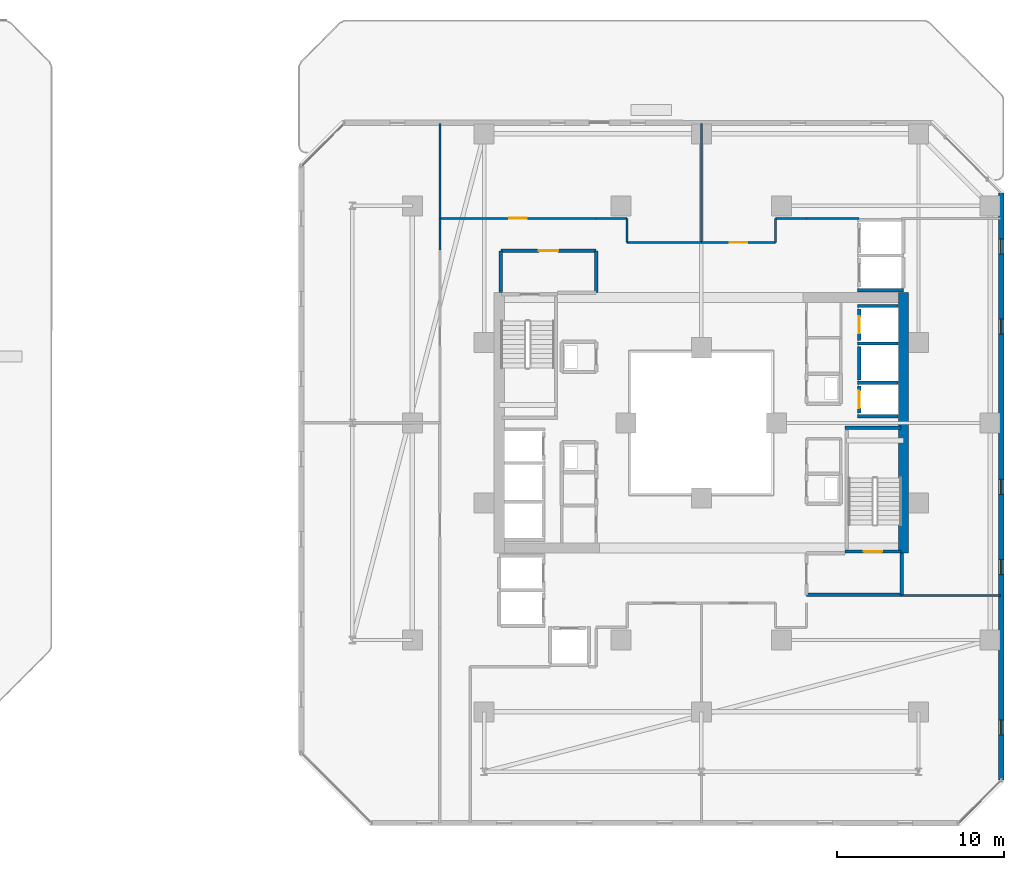
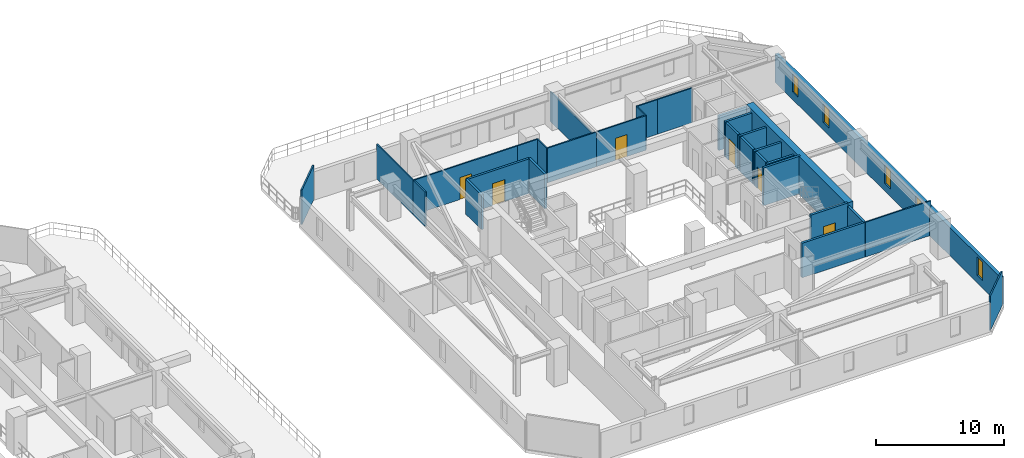
# One storey, part 26 of 33: 31 walls, 6 doors, 5 windows, 11 openings.
"""IFC4 building model written with IfcOpenShell, lengths in metres."""

from ifc_helpers import new_model, si_unit, direction, frame, frame_2d, origin, place, context, subcontext, project, spatial, rectangle, extrude, material, layer, layer_set, type_object, element, fill, save


model = new_model("IFC4")

# Units and contexts
model_context = context("Model", 3, precision=1e-05, world=origin(), true_north=direction((0.0, 1.0)))
body_context = subcontext(model_context, "Body", "Model", "MODEL_VIEW")
ifc_project = project(units=[si_unit("LENGTHUNIT", "METRE"), si_unit("AREAUNIT", "SQUARE_METRE"), si_unit("VOLUMEUNIT", "CUBIC_METRE"), si_unit("PLANEANGLEUNIT", "RADIAN"), si_unit("MASSUNIT", "GRAM", prefix="KILO")], contexts=[model_context])

# Site, building, storey
site_placement = place(None, origin())
site = spatial("IfcSite", under=ifc_project, at=site_placement, CompositionType="ELEMENT")
building_placement = place(site_placement, origin())
building = spatial("IfcBuilding", under=site, at=building_placement, Name="Thornwick Lancets Civic Towers", CompositionType="ELEMENT")
storey_placement = place(building_placement, frame((0.0, 0.0, 98.10009765625)))
storey = spatial("IfcBuildingStorey", under=building, at=storey_placement, Name="L25", CompositionType="ELEMENT", Elevation=98.10009765625)

# Wall, opening, door
ifc_material_1 = material(Name="Concrete blockwork C40/50", Category="masonry")
ifc_layer_1 = layer(ifc_material_1, 0.199951171875, Name="Concrete blockwork C40/50")
ifc_layer_set_1 = layer_set([ifc_layer_1], Name="Concrete blockwork C40/50")
wall_type_1 = type_object("IfcWallType", Name="WALL_COMP_200", PredefinedType="STANDARD", material=ifc_layer_set_1)
wall_1_placement = place(storey_placement, frame((97.949951171875, 29.219970703125, 0.0), z_axis=(0.0, 0.0, 1.0), x_axis=(0.0, -1.0, 0.0)))
wall_1 = element("IfcWall", 1, at=wall_1_placement, inside=storey, type_object=wall_type_1, Name="L25 Hoistway Front Wall FL-B1", PredefinedType="STANDARD", context=body_context, shape_type="SweptSolid", body=[
    extrude(rectangle(XDim=1.639892578125, YDim=0.199951171875, at=frame_2d((0.81982421875, 0.0))), origin(), (0.0, 0.0, 1.0), 3.2998046875),
])
opening_1_placement = place(wall_1_placement, frame((0.31005859375, 0.0, 0.0)))
opening_1 = element("IfcOpeningElement", 2, at=opening_1_placement, cuts=wall_1, Name="Opening LD-FL-B1", PredefinedType="OPENING", context=body_context, shape_type="SweptSolid", body=[
    extrude(rectangle(XDim=1.02001953125, YDim=2.06005859375, at=frame_2d((0.510009765625, 1.030029296875))), frame((0.0, 0.10986328125, 0.0), z_axis=(0.0, -1.0, 0.0), x_axis=(1.0, 0.0, 0.0)), (0.0, 0.0, 1.0), 0.219970703125),
])
ifc_material_2 = material(Name="Brushed bronze stainless steel", Category="steel")
door_type_1 = type_object("IfcDoorType", Name="DOOR_LIFT_SLIDE", OperationType="SLIDING_TO_LEFT", PredefinedType="DOOR", material=ifc_material_2)
door_1_placement = place(opening_1_placement, origin())
door_1 = element("IfcDoor", 3, at=door_1_placement, inside=storey, type_object=door_type_1, Name="L25 Sliding Lift Landing Door LD-FL-B1", OperationType="SLIDING_TO_LEFT", OverallHeight=2.06005859375, OverallWidth=1.02001953125, PredefinedType="DOOR", context=body_context, shape_type="SweptSolid", body=[
    extrude(rectangle(XDim=1.02001953125, YDim=2.06005859375, at=frame_2d((0.510009765625, 1.030029296875))), frame((0.0, 0.02490234375, 0.0), z_axis=(0.0, -1.0, 0.0), x_axis=(1.0, 0.0, 0.0)), (0.0, 0.0, 1.0), 0.050048828125),
])
fill(opening_1, door_1)

# Wall
wall_2_placement = place(storey_placement, frame((97.949951171875, 31.570068359375, 0.0), z_axis=(0.0, 0.0, 1.0), x_axis=(0.0, -1.0, 0.0)))
element("IfcWall", 4, at=wall_2_placement, inside=storey, type_object=wall_type_1, Name="L25 Hoistway Front Wall PL-BH1", PredefinedType="STANDARD", context=body_context, shape_type="SweptSolid", body=[
    extrude(rectangle(XDim=1.989990234375, YDim=0.199951171875, at=frame_2d((0.9951171875, 0.0))), origin(), (0.0, 0.0, 1.0), 3.2998046875),
])

# Wall, opening, door
wall_3_placement = place(storey_placement, frame((97.949951171875, 33.820068359375, 0.0), z_axis=(0.0, 0.0, 1.0), x_axis=(0.0, -1.0, 0.0)))
wall_3 = element("IfcWall", 5, at=wall_3_placement, inside=storey, type_object=wall_type_1, Name="L25 Hoistway Front Wall PL-BL1", PredefinedType="STANDARD", context=body_context, shape_type="SweptSolid", body=[
    extrude(rectangle(XDim=1.89013671875, YDim=0.199951171875, at=frame_2d((0.945068359375, 0.0))), origin(), (0.0, 0.0, 1.0), 3.2998046875),
])
opening_2_placement = place(wall_3_placement, frame((0.43505859375, 0.0, 0.0)))
opening_2 = element("IfcOpeningElement", 6, at=opening_2_placement, cuts=wall_3, Name="Opening LD-PL-BL1", PredefinedType="OPENING", context=body_context, shape_type="SweptSolid", body=[
    extrude(rectangle(XDim=1.02001953125, YDim=2.06005859375, at=frame_2d((0.510009765625, 1.030029296875))), frame((0.0, 0.10986328125, 0.0), z_axis=(0.0, -1.0, 0.0), x_axis=(1.0, 0.0, 0.0)), (0.0, 0.0, 1.0), 0.219970703125),
])
door_2_placement = place(opening_2_placement, origin())
door_2 = element("IfcDoor", 7, at=door_2_placement, inside=storey, type_object=door_type_1, Name="L25 Sliding Lift Landing Door LD-PL-BL1", OperationType="SLIDING_TO_LEFT", OverallHeight=2.06005859375, OverallWidth=1.02001953125, PredefinedType="DOOR", context=body_context, shape_type="SweptSolid", body=[
    extrude(rectangle(XDim=1.02001953125, YDim=2.06005859375, at=frame_2d((0.510009765625, 1.030029296875))), frame((0.0, 0.02490234375, 0.0), z_axis=(0.0, -1.0, 0.0), x_axis=(1.0, 0.0, 0.0)), (0.0, 0.0, 1.0), 0.050048828125),
])
fill(opening_2, door_2)

# Walls
for number, where, z_axis, x_axis, name in (
    (8, (97.85205078125, 29.39990234375, 0.0), (0.0, 0.0, 1.0), (1.0, 0.0, 0.0), "L25 Hoistway Shaft Wall FL-B1 N"),
    (9, (97.85205078125, 27.39990234375, 0.0), (0.0, 0.0, 1.0), (1.0, 0.0, 0.0), "L25 Hoistway Shaft Wall FL-B1 S"),
    (10, (97.85205078125, 31.75, 0.0), (0.0, 0.0, 1.0), (1.0, 0.0, 0.0), "L25 Hoistway Shaft Wall PL-BH1 N"),
    (11, (97.85205078125, 34.0, 0.0), (0.0, 0.0, 1.0), (1.0, 0.0, 0.0), "L25 Hoistway Shaft Wall PL-BL1 N"),
):
    element("IfcWall", number, at=place(storey_placement, frame(where, z_axis=z_axis, x_axis=x_axis)), inside=storey, type_object=wall_type_1, Name=name, PredefinedType="STANDARD", context=body_context, shape_type="SweptSolid", body=[
        extrude(rectangle(XDim=2.43603515625, YDim=0.199951171875, at=frame_2d((1.218017578125, 0.0))), origin(), (0.0, 0.0, 1.0), 3.2998046875),
    ])
wall_4_placement = place(storey_placement, frame((97.85205078125, 34.949951171875, 0.0), z_axis=(0.0, 0.0, 1.0), x_axis=(1.0, 0.0, 0.0)))
element("IfcWall", 12, at=wall_4_placement, inside=storey, type_object=wall_type_1, Name="L25 Hoistway Shaft Wall PL-BL2 S", PredefinedType="STANDARD", context=body_context, shape_type="SweptSolid", body=[
    extrude(rectangle(XDim=2.745849609375, YDim=0.199951171875, at=frame_2d((1.373046875, 0.0))), origin(), (0.0, 0.0, 1.0), 3.2998046875),
])
wall_5_placement = place(storey_placement, frame((94.800048828125, 16.699951171875, 0.0), z_axis=(0.0, 0.0, 1.0), x_axis=(1.0, 0.0, 0.0)))
element("IfcWall", 13, at=wall_5_placement, inside=storey, type_object=wall_type_1, Name="L25 Partition L25-B-FFLOB1 E1", PredefinedType="STANDARD", context=body_context, shape_type="SweptSolid", body=[
    extrude(rectangle(XDim=5.699951171875, YDim=0.199951171875, at=frame_2d((2.85009765625, 0.0))), origin(), (0.0, 0.0, 1.0), 3.2998046875),
])
for number, where, z_axis, x_axis, name in (
    (14, (100.5, 16.699951171875, 0.0), (0.0, 0.0, 1.0), (0.0, 1.0, 0.0), "L25 Partition L25-B-FFLOB1 E2"),
    (15, (82.199951171875, 34.800048828125, 0.0), (0.0, 0.0, 1.0), (0.0, 1.0, 0.0), "L25 Partition L25-B-FFLOB2 E2"),
):
    element("IfcWall", number, at=place(storey_placement, frame(where, z_axis=z_axis, x_axis=x_axis)), inside=storey, type_object=wall_type_1, Name=name, PredefinedType="STANDARD", context=body_context, shape_type="SweptSolid", body=[
        extrude(rectangle(XDim=2.5, YDim=0.199951171875, at=frame_2d((1.25, 0.0))), origin(), (0.0, 0.0, 1.0), 3.2998046875),
    ])

# Wall, opening, door
wall_6_placement = place(storey_placement, frame((82.199951171875, 37.300048828125, 0.0), z_axis=(0.0, 0.0, 1.0), x_axis=(-1.0, 0.0, 0.0)))
wall_6 = element("IfcWall", 16, at=wall_6_placement, inside=storey, type_object=wall_type_1, Name="L25 Partition L25-B-FFLOB2 E3", PredefinedType="STANDARD", context=body_context, shape_type="SweptSolid", body=[
    extrude(rectangle(XDim=5.699951171875, YDim=0.199951171875, at=frame_2d((2.85009765625, 0.0))), origin(), (0.0, 0.0, 1.0), 3.2998046875),
])
opening_3_placement = place(wall_6_placement, frame((2.27490234375, 0.0, 0.0)))
opening_3 = element("IfcOpeningElement", 17, at=opening_3_placement, cuts=wall_6, Name="Opening D-L25-1167", PredefinedType="OPENING", context=body_context, shape_type="SweptSolid", body=[
    extrude(rectangle(XDim=1.14990234375, YDim=2.10009765625, at=frame_2d((0.574951171875, 1.050048828125))), frame((0.0, 0.10986328125, 0.0), z_axis=(0.0, -1.0, 0.0), x_axis=(1.0, 0.0, 0.0)), (0.0, 0.0, 1.0), 0.219970703125),
])
ifc_material_3 = material(Name="Glazed fire-resisting steel", Category="steel")
door_type_2 = type_object("IfcDoorType", Name="DOOR_LOBBY_FD60", OperationType="NOTDEFINED", PredefinedType="DOOR", material=ifc_material_3)
door_3_placement = place(opening_3_placement, origin())
door_3 = element("IfcDoor", 18, at=door_3_placement, inside=storey, type_object=door_type_2, Name="L25 West Firefighting Lobby 2 Door", OperationType="SINGLE_SWING_RIGHT", OverallHeight=2.10009765625, OverallWidth=1.14990234375, PredefinedType="DOOR", context=body_context, shape_type="SweptSolid", body=[
    extrude(rectangle(XDim=1.14990234375, YDim=2.10009765625, at=frame_2d((0.574951171875, 1.050048828125))), frame((0.0, 0.02490234375, 0.0), z_axis=(0.0, -1.0, 0.0), x_axis=(1.0, 0.0, 0.0)), (0.0, 0.0, 1.0), 0.050048828125),
])
fill(opening_3, door_3)

# Walls
wall_7_placement = place(storey_placement, frame((76.5, 37.300048828125, 0.0), z_axis=(0.0, 0.0, 1.0), x_axis=(0.0, -1.0, 0.0)))
element("IfcWall", 19, at=wall_7_placement, inside=storey, type_object=wall_type_1, Name="L25 Partition L25-B-FFLOB2 E4", PredefinedType="STANDARD", context=body_context, shape_type="SweptSolid", body=[
    extrude(rectangle(XDim=2.5, YDim=0.199951171875, at=frame_2d((1.25, 0.0))), origin(), (0.0, 0.0, 1.0), 3.2998046875),
])
ifc_material_4 = material(Name="Concrete C60/75", Category="concrete")
ifc_layer_2 = layer(ifc_material_4, 0.60009765625, Name="Concrete C60/75")
ifc_layer_set_2 = layer_set([ifc_layer_2], Name="Concrete C60/75")
wall_type_2 = type_object("IfcWallType", Name="WALL_CORE_600", PredefinedType="SHEAR", material=ifc_layer_set_2)
wall_8_placement = place(storey_placement, frame((100.60009765625, 19.199951171875, 0.0), z_axis=(0.0, 0.0, 1.0), x_axis=(0.0, 1.0, 0.0)))
element("IfcWall", 20, at=wall_8_placement, inside=storey, type_object=wall_type_2, Name="L25 Split Core B1 Shear Wall E", PredefinedType="SHEAR", context=body_context, shape_type="SweptSolid", body=[
    extrude(rectangle(XDim=15.60009765625, YDim=0.60009765625, at=frame_2d((7.800048828125, 0.0))), origin(), (0.0, 0.0, 1.0), 3.599853515625),
])

# Wall, openings, windows
ifc_material_5 = material(Name="Insulated buff terracotta rainscreen on concrete C40/50", Category="masonry")
ifc_layer_3 = layer(ifc_material_5, 0.320068359375, Name="Insulated buff terracotta rainscreen on concrete C40/50")
ifc_layer_set_3 = layer_set([ifc_layer_3], Name="Insulated buff terracotta rainscreen on concrete C40/50")
wall_type_3 = type_object("IfcWallType", Name="WALL_EXT_TERRA_320", PredefinedType="STANDARD", material=ifc_layer_set_3)
wall_9_placement = place(storey_placement, frame((106.464599609375, 5.61865234375, 0.0), z_axis=(0.0, 0.0, 1.0), x_axis=(-0.000145929605, 0.999999989352, 0.0)))
wall_9 = element("IfcWall", 21, at=wall_9_placement, inside=storey, type_object=wall_type_3, Name="L25 Tower B Terracotta Facade Wall E2", PredefinedType="STANDARD", context=body_context, shape_type="SweptSolid", body=[
    extrude(rectangle(XDim=35.133056640625, YDim=0.320068359375, at=frame_2d((17.56640625, 0.0))), origin(), (0.0, 0.0, 1.0), 2.699951171875),
])
opening_4_placement = place(wall_9_placement, frame((2.699951171875, 0.0, 0.719970703125)))
opening_4 = element("IfcOpeningElement", 22, at=opening_4_placement, cuts=wall_9, Name="Opening WL-01", PredefinedType="OPENING", context=body_context, shape_type="SweptSolid", body=[
    extrude(rectangle(XDim=0.89990234375, YDim=1.75, at=frame_2d((0.449951171875, 0.875))), frame((0.0, 0.169921875, 0.0), z_axis=(0.0, -1.0, 0.0), x_axis=(1.0, 0.0, 0.0)), (0.0, 0.0, 1.0), 0.340087890625),
])
opening_5_placement = place(wall_9_placement, frame((12.300048828125, 0.0, 0.719970703125)))
opening_5 = element("IfcOpeningElement", 23, at=opening_5_placement, cuts=wall_9, Name="Opening WL-01", PredefinedType="OPENING", context=body_context, shape_type="SweptSolid", body=[
    extrude(rectangle(XDim=0.89990234375, YDim=1.75, at=frame_2d((0.449951171875, 0.875))), frame((0.0, 0.169921875, 0.0), z_axis=(0.0, -1.0, 0.0), x_axis=(1.0, 0.0, 0.0)), (0.0, 0.0, 1.0), 0.340087890625),
])
opening_6_placement = place(wall_9_placement, frame((17.10009765625, 0.0, 0.719970703125)))
opening_6 = element("IfcOpeningElement", 24, at=opening_6_placement, cuts=wall_9, Name="Opening WL-01", PredefinedType="OPENING", context=body_context, shape_type="SweptSolid", body=[
    extrude(rectangle(XDim=0.89990234375, YDim=1.75, at=frame_2d((0.449951171875, 0.875))), frame((0.0, 0.169921875, 0.0), z_axis=(0.0, -1.0, 0.0), x_axis=(1.0, 0.0, 0.0)), (0.0, 0.0, 1.0), 0.340087890625),
])
opening_7_placement = place(wall_9_placement, frame((26.699951171875, 0.0, 0.719970703125)))
opening_7 = element("IfcOpeningElement", 25, at=opening_7_placement, cuts=wall_9, Name="Opening WL-01", PredefinedType="OPENING", context=body_context, shape_type="SweptSolid", body=[
    extrude(rectangle(XDim=0.89990234375, YDim=1.75, at=frame_2d((0.449951171875, 0.875))), frame((0.0, 0.169921875, 0.0), z_axis=(0.0, -1.0, 0.0), x_axis=(1.0, 0.0, 0.0)), (0.0, 0.0, 1.0), 0.340087890625),
])
opening_8_placement = place(wall_9_placement, frame((31.5, 0.0, 0.719970703125)))
opening_8 = element("IfcOpeningElement", 26, at=opening_8_placement, cuts=wall_9, Name="Opening WL-01", PredefinedType="OPENING", context=body_context, shape_type="SweptSolid", body=[
    extrude(rectangle(XDim=0.89990234375, YDim=1.75, at=frame_2d((0.449951171875, 0.875))), frame((0.0, 0.169921875, 0.0), z_axis=(0.0, -1.0, 0.0), x_axis=(1.0, 0.0, 0.0)), (0.0, 0.0, 1.0), 0.340087890625),
])
ifc_material_6 = material(Name="Clear low-e double glazing in bronze frame", Category="glass")
window_type = type_object("IfcWindowType", Name="WIN_LANCET_900", PartitioningType="SINGLE_PANEL", PredefinedType="WINDOW", material=ifc_material_6)
window_1_placement = place(opening_4_placement, origin())
window_1 = element("IfcWindow", 27, at=window_1_placement, inside=storey, type_object=window_type, Name="L25 Tower B Staggered Lancet Window E2-1", OverallHeight=1.75, OverallWidth=0.89990234375, PartitioningType="SINGLE_PANEL", PredefinedType="WINDOW", context=body_context, shape_type="SweptSolid", body=[
    extrude(rectangle(XDim=0.89990234375, YDim=1.75, at=frame_2d((0.449951171875, 0.875))), frame((0.0, 0.030029296875, 0.0), z_axis=(0.0, -1.0, 0.0), x_axis=(1.0, 0.0, 0.0)), (0.0, 0.0, 1.0), 0.06005859375),
])
fill(opening_4, window_1)
window_2_placement = place(opening_5_placement, origin())
window_2 = element("IfcWindow", 28, at=window_2_placement, inside=storey, type_object=window_type, Name="L25 Tower B Staggered Lancet Window E2-2", OverallHeight=1.75, OverallWidth=0.89990234375, PartitioningType="SINGLE_PANEL", PredefinedType="WINDOW", context=body_context, shape_type="SweptSolid", body=[
    extrude(rectangle(XDim=0.89990234375, YDim=1.75, at=frame_2d((0.449951171875, 0.875))), frame((0.0, 0.030029296875, 0.0), z_axis=(0.0, -1.0, 0.0), x_axis=(1.0, 0.0, 0.0)), (0.0, 0.0, 1.0), 0.06005859375),
])
fill(opening_5, window_2)
window_3_placement = place(opening_6_placement, origin())
window_3 = element("IfcWindow", 29, at=window_3_placement, inside=storey, type_object=window_type, Name="L25 Tower B Staggered Lancet Window E2-3", OverallHeight=1.75, OverallWidth=0.89990234375, PartitioningType="SINGLE_PANEL", PredefinedType="WINDOW", context=body_context, shape_type="SweptSolid", body=[
    extrude(rectangle(XDim=0.89990234375, YDim=1.75, at=frame_2d((0.449951171875, 0.875))), frame((0.0, 0.030029296875, 0.0), z_axis=(0.0, -1.0, 0.0), x_axis=(1.0, 0.0, 0.0)), (0.0, 0.0, 1.0), 0.06005859375),
])
fill(opening_6, window_3)
window_4_placement = place(opening_7_placement, origin())
window_4 = element("IfcWindow", 30, at=window_4_placement, inside=storey, type_object=window_type, Name="L25 Tower B Staggered Lancet Window E2-4", OverallHeight=1.75, OverallWidth=0.89990234375, PartitioningType="SINGLE_PANEL", PredefinedType="WINDOW", context=body_context, shape_type="SweptSolid", body=[
    extrude(rectangle(XDim=0.89990234375, YDim=1.75, at=frame_2d((0.449951171875, 0.875))), frame((0.0, 0.030029296875, 0.0), z_axis=(0.0, -1.0, 0.0), x_axis=(1.0, 0.0, 0.0)), (0.0, 0.0, 1.0), 0.06005859375),
])
fill(opening_7, window_4)
window_5_placement = place(opening_8_placement, origin())
window_5 = element("IfcWindow", 31, at=window_5_placement, inside=storey, type_object=window_type, Name="L25 Tower B Staggered Lancet Window E2-5", OverallHeight=1.75, OverallWidth=0.89990234375, PartitioningType="SINGLE_PANEL", PredefinedType="WINDOW", context=body_context, shape_type="SweptSolid", body=[
    extrude(rectangle(XDim=0.89990234375, YDim=1.75, at=frame_2d((0.449951171875, 0.875))), frame((0.0, 0.030029296875, 0.0), z_axis=(0.0, -1.0, 0.0), x_axis=(1.0, 0.0, 0.0)), (0.0, 0.0, 1.0), 0.06005859375),
])
fill(opening_8, window_5)

# Walls
ifc_material_7 = material(Name="Acoustic gypsum board partition")
ifc_layer_4 = layer(ifc_material_7, 0.1201171875, Name="Acoustic gypsum board partition")
ifc_layer_set_4 = layer_set([ifc_layer_4], Name="Acoustic gypsum board partition")
wall_type_4 = type_object("IfcWallType", Name="WALL_PART_120", PredefinedType="PARTITIONING", material=ifc_layer_set_4)
wall_10_placement = place(storey_placement, frame((100.5, 16.64990234375, 0.0), z_axis=(0.0, 0.0, 1.0), x_axis=(1.0, 0.0, 0.0)))
element("IfcWall", 32, at=wall_10_placement, inside=storey, type_object=wall_type_4, Name="L25 Partition L25-B-W1 E5", PredefinedType="PARTITIONING", context=body_context, shape_type="SweptSolid", body=[
    extrude(rectangle(XDim=5.919921875, YDim=0.1201171875, at=frame_2d((2.9599609375, 0.0))), origin(), (0.0, 0.0, 1.0), 3.2998046875),
])
wall_11_placement = place(storey_placement, frame((106.419921875, 5.57470703125, 0.0), z_axis=(0.0, 0.0, 1.0), x_axis=(-0.707106781187, -0.707106781187, 0.0)))
element("IfcWall", 33, at=wall_11_placement, inside=storey, type_object=wall_type_4, Name="L25 Partition L25-B-W1 E7", PredefinedType="PARTITIONING", context=body_context, shape_type="SweptSolid", body=[
    extrude(rectangle(XDim=3.52783203125, YDim=0.1201171875, at=frame_2d((1.763916015625, 0.0))), origin(), (0.0, 0.0, 1.0), 3.2998046875),
])
wall_12_placement = place(storey_placement, frame((97.949951171875, 39.25, 0.0), z_axis=(0.0, 0.0, 1.0), x_axis=(-1.0, 0.0, 0.0)))
element("IfcWall", 34, at=wall_12_placement, inside=storey, type_object=wall_type_4, Name="L25 Partition L25-B-E1 E3", PredefinedType="PARTITIONING", context=body_context, shape_type="SweptSolid", body=[
    extrude(rectangle(XDim=3.14990234375, YDim=0.1201171875, at=frame_2d((1.574951171875, 0.0))), origin(), (0.0, 0.0, 1.0), 3.2998046875),
])
wall_13_placement = place(storey_placement, frame((94.800048828125, 39.25, 0.0), z_axis=(0.0, 0.0, 1.0), x_axis=(-1.0, 0.0, 0.0)))
element("IfcWall", 35, at=wall_13_placement, inside=storey, type_object=wall_type_4, Name="L25 Partition L25-B-E1 E4", PredefinedType="PARTITIONING", context=body_context, shape_type="SweptSolid", body=[
    extrude(rectangle(XDim=1.85009765625, YDim=0.1201171875, at=frame_2d((0.925048828125, 0.0))), origin(), (0.0, 0.0, 1.0), 3.2998046875),
])
wall_14_placement = place(storey_placement, frame((92.949951171875, 39.25, 0.0), z_axis=(0.0, 0.0, 1.0), x_axis=(0.0, -1.0, 0.0)))
element("IfcWall", 36, at=wall_14_placement, inside=storey, type_object=wall_type_4, Name="L25 Partition L25-B-E1 E5", PredefinedType="PARTITIONING", context=body_context, shape_type="SweptSolid", body=[
    extrude(rectangle(XDim=1.449951171875, YDim=0.1201171875, at=frame_2d((0.72509765625, 0.0))), origin(), (0.0, 0.0, 1.0), 3.2998046875),
])

# Wall, opening, door
wall_15_placement = place(storey_placement, frame((92.949951171875, 37.800048828125, 0.0), z_axis=(0.0, 0.0, 1.0), x_axis=(-1.0, 0.0, 0.0)))
wall_15 = element("IfcWall", 37, at=wall_15_placement, inside=storey, type_object=wall_type_4, Name="L25 Partition L25-B-E1 E6", PredefinedType="PARTITIONING", context=body_context, shape_type="SweptSolid", body=[
    extrude(rectangle(XDim=4.449951171875, YDim=0.1201171875, at=frame_2d((2.22509765625, 0.0))), origin(), (0.0, 0.0, 1.0), 3.2998046875),
])
opening_9_placement = place(wall_15_placement, frame((1.699951171875, 0.0, 0.0)))
opening_9 = element("IfcOpeningElement", 38, at=opening_9_placement, cuts=wall_15, Name="Opening D-L25-1185", PredefinedType="OPENING", context=body_context, shape_type="SweptSolid", body=[
    extrude(rectangle(XDim=1.050048828125, YDim=2.10009765625, at=frame_2d((0.52490234375, 1.050048828125))), frame((0.0, 0.070068359375, 0.0), z_axis=(0.0, -1.0, 0.0), x_axis=(1.0, 0.0, 0.0)), (0.0, 0.0, 1.0), 0.14013671875),
])
ifc_material_8 = material(Name="Glazed European oak executive doorset")
door_type_3 = type_object("IfcDoorType", Name="DOOR_OFFICE_1050", OperationType="NOTDEFINED", PredefinedType="DOOR", material=ifc_material_8)
door_4_placement = place(opening_9_placement, origin())
door_4 = element("IfcDoor", 39, at=door_4_placement, inside=storey, type_object=door_type_3, Name="L25 Tower B Secretariat Open Office E1 Door", OperationType="SINGLE_SWING_RIGHT", OverallHeight=2.10009765625, OverallWidth=1.050048828125, PredefinedType="DOOR", context=body_context, shape_type="SweptSolid", body=[
    extrude(rectangle(XDim=1.050048828125, YDim=2.10009765625, at=frame_2d((0.52490234375, 1.050048828125))), frame((0.0, 0.02490234375, 0.0), z_axis=(0.0, -1.0, 0.0), x_axis=(1.0, 0.0, 0.0)), (0.0, 0.0, 1.0), 0.050048828125),
])
fill(opening_9, door_4)

# Walls
wall_16_placement = place(storey_placement, frame((88.5, 37.800048828125, 0.0), z_axis=(0.0, 0.0, 1.0), x_axis=(0.0, 1.0, 0.0)))
element("IfcWall", 40, at=wall_16_placement, inside=storey, type_object=wall_type_4, Name="L25 Partition L25-B-E1 E7", PredefinedType="PARTITIONING", context=body_context, shape_type="SweptSolid", body=[
    extrude(rectangle(XDim=7.119873046875, YDim=0.1201171875, at=frame_2d((3.56005859375, 0.0))), origin(), (0.0, 0.0, 1.0), 2.837646484375),
])
wall_17_placement = place(storey_placement, frame((84.050048828125, 37.800048828125, 0.0), z_axis=(0.0, 0.0, 1.0), x_axis=(0.0, 1.0, 0.0)))
element("IfcWall", 41, at=wall_17_placement, inside=storey, type_object=wall_type_4, Name="L25 Partition L25-B-E2 E1", PredefinedType="PARTITIONING", context=body_context, shape_type="SweptSolid", body=[
    extrude(rectangle(XDim=1.449951171875, YDim=0.1201171875, at=frame_2d((0.72509765625, 0.0))), origin(), (0.0, 0.0, 1.0), 3.2998046875),
])
wall_18_placement = place(storey_placement, frame((84.050048828125, 39.25, 0.0), z_axis=(0.0, 0.0, 1.0), x_axis=(-1.0, 0.0, 0.0)))
element("IfcWall", 42, at=wall_18_placement, inside=storey, type_object=wall_type_4, Name="L25 Partition L25-B-E2 E2", PredefinedType="PARTITIONING", context=body_context, shape_type="SweptSolid", body=[
    extrude(rectangle(XDim=1.85009765625, YDim=0.1201171875, at=frame_2d((0.925048828125, 0.0))), origin(), (0.0, 0.0, 1.0), 3.2998046875),
])

# Wall, opening, door
wall_19_placement = place(storey_placement, frame((82.199951171875, 39.25, 0.0), z_axis=(0.0, 0.0, 1.0), x_axis=(-1.0, 0.0, 0.0)))
wall_19 = element("IfcWall", 43, at=wall_19_placement, inside=storey, type_object=wall_type_4, Name="L25 Partition L25-B-E2 E3", PredefinedType="PARTITIONING", context=body_context, shape_type="SweptSolid", body=[
    extrude(rectangle(XDim=9.349853515625, YDim=0.1201171875, at=frame_2d((4.6748046875, 0.0))), origin(), (0.0, 0.0, 1.0), 3.2998046875),
])
opening_10_placement = place(wall_19_placement, frame((4.14990234375, 0.0, 0.0)))
opening_10 = element("IfcOpeningElement", 44, at=opening_10_placement, cuts=wall_19, Name="Opening D-L25-1186", PredefinedType="OPENING", context=body_context, shape_type="SweptSolid", body=[
    extrude(rectangle(XDim=1.050048828125, YDim=2.10009765625, at=frame_2d((0.52490234375, 1.050048828125))), frame((0.0, 0.070068359375, 0.0), z_axis=(0.0, -1.0, 0.0), x_axis=(1.0, 0.0, 0.0)), (0.0, 0.0, 1.0), 0.14013671875),
])
door_5_placement = place(opening_10_placement, origin())
door_5 = element("IfcDoor", 45, at=door_5_placement, inside=storey, type_object=door_type_3, Name="L25 Tower B Visitors Reception and Waiting Door", OperationType="SINGLE_SWING_LEFT", OverallHeight=2.10009765625, OverallWidth=1.050048828125, PredefinedType="DOOR", context=body_context, shape_type="SweptSolid", body=[
    extrude(rectangle(XDim=1.050048828125, YDim=2.10009765625, at=frame_2d((0.52490234375, 1.050048828125))), frame((0.0, 0.02490234375, 0.0), z_axis=(0.0, -1.0, 0.0), x_axis=(1.0, 0.0, 0.0)), (0.0, 0.0, 1.0), 0.050048828125),
])
fill(opening_10, door_5)

# Walls
wall_20_placement = place(storey_placement, frame((72.85009765625, 39.25, 0.0), z_axis=(0.0, 0.0, 1.0), x_axis=(0.0, 1.0, 0.0)))
element("IfcWall", 46, at=wall_20_placement, inside=storey, type_object=wall_type_4, Name="L25 Partition L25-B-E2 E4", PredefinedType="PARTITIONING", context=body_context, shape_type="SweptSolid", body=[
    extrude(rectangle(XDim=5.669921875, YDim=0.1201171875, at=frame_2d((2.8349609375, 0.0))), origin(), (0.0, 0.0, 1.0), 3.2998046875),
])
wall_21_placement = place(storey_placement, frame((88.5, 37.800048828125, 0.0), z_axis=(0.0, 0.0, 1.0), x_axis=(-1.0, 0.0, 0.0)))
element("IfcWall", 47, at=wall_21_placement, inside=storey, type_object=wall_type_4, Name="L25 Partition L25-B-E2 E7", PredefinedType="PARTITIONING", context=body_context, shape_type="SweptSolid", body=[
    extrude(rectangle(XDim=4.449951171875, YDim=0.1201171875, at=frame_2d((2.22509765625, 0.0))), origin(), (0.0, 0.0, 1.0), 3.2998046875),
])
wall_22_placement = place(storey_placement, frame((64.580078125, 42.42529296875, 0.0), z_axis=(0.0, 0.0, 1.0), x_axis=(0.707106781187, 0.707106781187, 0.0)))
element("IfcWall", 48, at=wall_22_placement, inside=storey, type_object=wall_type_4, Name="L25 Partition L25-B-N-OFF E2", PredefinedType="PARTITIONING", context=body_context, shape_type="SweptSolid", body=[
    extrude(rectangle(XDim=3.52783203125, YDim=0.1201171875, at=frame_2d((1.763916015625, 0.0))), origin(), (0.0, 0.0, 1.0), 3.2998046875),
])
wall_23_placement = place(storey_placement, frame((72.85009765625, 39.25, 0.0), z_axis=(0.0, 0.0, 1.0), x_axis=(0.0, -1.0, 0.0)))
element("IfcWall", 49, at=wall_23_placement, inside=storey, type_object=wall_type_4, Name="L25 Partition L25-B-N-OFF E5", PredefinedType="PARTITIONING", context=body_context, shape_type="SweptSolid", body=[
    extrude(rectangle(XDim=1.89990234375, YDim=0.1201171875, at=frame_2d((0.949951171875, 0.0))), origin(), (0.0, 0.0, 1.0), 3.2998046875),
])

# Wall, opening, door
ifc_material_9 = material(Name="Concrete C40/50", Category="concrete")
ifc_layer_5 = layer(ifc_material_9, 0.199951171875, Name="Concrete C40/50")
ifc_layer_set_5 = layer_set([ifc_layer_5], Name="Concrete C40/50")
wall_type_5 = type_object("IfcWallType", Name="WALL_SHAFT_200", PredefinedType="SHEAR", material=ifc_layer_set_5)
wall_24_placement = place(storey_placement, frame((100.449951171875, 19.300048828125, 0.0), z_axis=(0.0, 0.0, 1.0), x_axis=(-1.0, 0.0, 0.0)))
wall_24 = element("IfcWall", 50, at=wall_24_placement, inside=storey, type_object=wall_type_5, Name="L25 ST-B1 Fire Stair Core Wall NEAR", PredefinedType="SHEAR", context=body_context, shape_type="SweptSolid", body=[
    extrude(rectangle(XDim=3.349853515625, YDim=0.199951171875, at=frame_2d((1.6748046875, 0.0))), origin(), (0.0, 0.0, 1.0), 3.599853515625),
])
opening_11_placement = place(wall_24_placement, frame((1.125, 0.0, 0.0)))
opening_11 = element("IfcOpeningElement", 51, at=opening_11_placement, cuts=wall_24, Name="Opening D-ST-B1-L25", PredefinedType="OPENING", context=body_context, shape_type="SweptSolid", body=[
    extrude(rectangle(XDim=1.10009765625, YDim=2.10009765625, at=frame_2d((0.550048828125, 1.050048828125))), frame((0.0, 0.10986328125, 0.0), z_axis=(0.0, -1.0, 0.0), x_axis=(1.0, 0.0, 0.0)), (0.0, 0.0, 1.0), 0.219970703125),
])
ifc_material_10 = material(Name="Fire-resisting steel and hardwood", Category="steel")
door_type_4 = type_object("IfcDoorType", Name="DOOR_STAIR_FD60", OperationType="NOTDEFINED", PredefinedType="DOOR", material=ifc_material_10)
door_6_placement = place(opening_11_placement, origin())
door_6 = element("IfcDoor", 52, at=door_6_placement, inside=storey, type_object=door_type_4, Name="L25 ST-B1 Exit Stair Door", OperationType="SINGLE_SWING_RIGHT", OverallHeight=2.10009765625, OverallWidth=1.10009765625, PredefinedType="DOOR", context=body_context, shape_type="SweptSolid", body=[
    extrude(rectangle(XDim=1.10009765625, YDim=2.10009765625, at=frame_2d((0.550048828125, 1.050048828125))), frame((0.0, 0.02490234375, 0.0), z_axis=(0.0, -1.0, 0.0), x_axis=(1.0, 0.0, 0.0)), (0.0, 0.0, 1.0), 0.050048828125),
])
fill(opening_11, door_6)

# Wall
wall_25_placement = place(storey_placement, frame((97.10009765625, 26.699951171875, 0.0), z_axis=(0.0, 0.0, 1.0), x_axis=(1.0, 0.0, 0.0)))
element("IfcWall", 53, at=wall_25_placement, inside=storey, type_object=wall_type_5, Name="L25 ST-B1 Fire Stair Core Wall FAR", PredefinedType="SHEAR", context=body_context, shape_type="SweptSolid", body=[
    extrude(rectangle(XDim=3.349853515625, YDim=0.199951171875, at=frame_2d((1.6748046875, 0.0))), origin(), (0.0, 0.0, 1.0), 3.599853515625),
])

save(model, "model.ifc")
